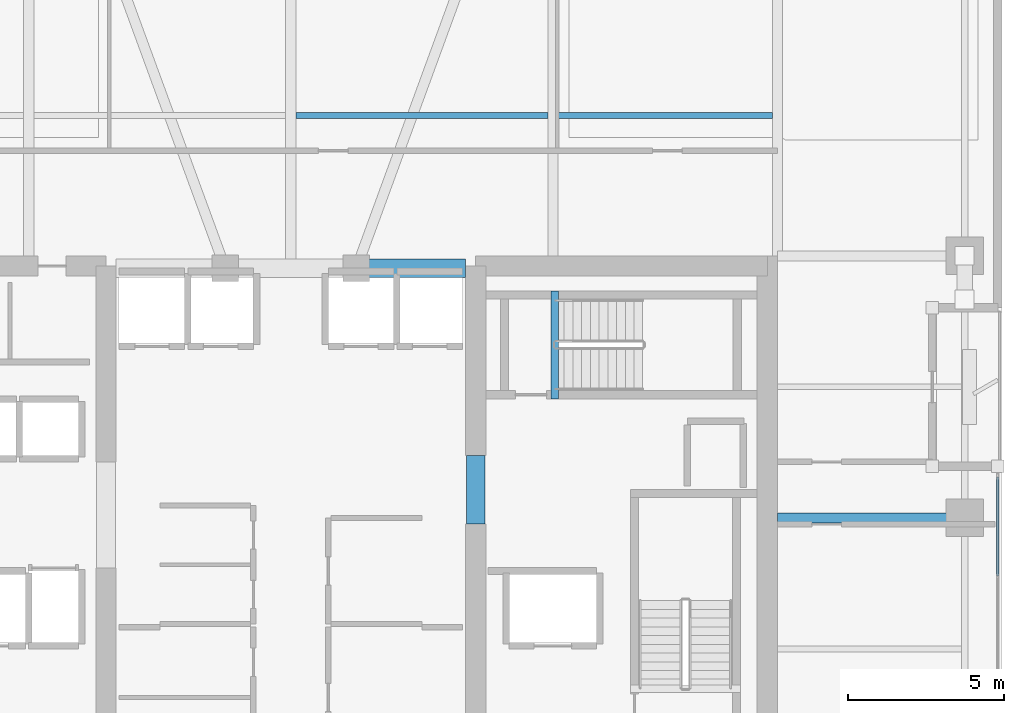
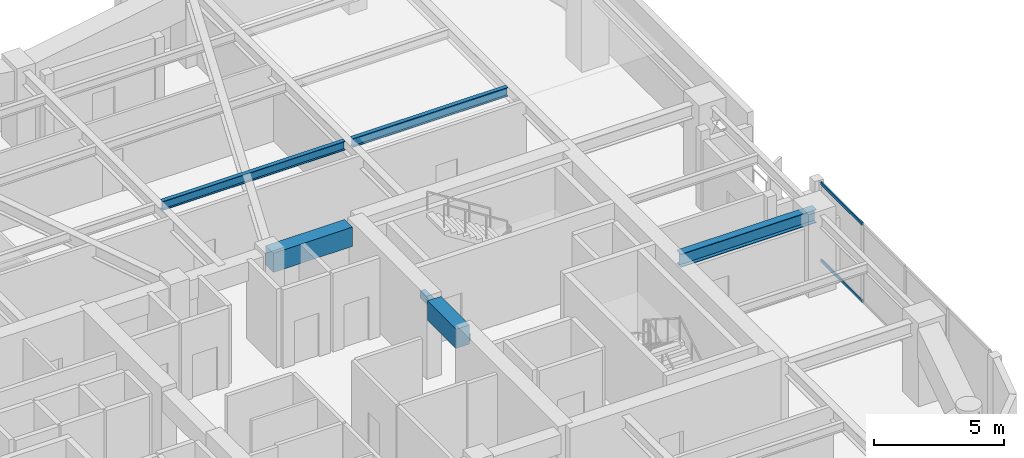
# One storey, part 10 of 30: 6 beams, 2 members, 1 element without a shape of its own.
"""IFC4 building model written with IfcOpenShell, lengths in metres."""

from ifc_helpers import new_model, si_unit, direction, frame, origin, origin_2d, place, context, subcontext, project, spatial, rectangle, hollow_rectangle, i_section, extrude, material, layer, layer_set, material_profile, profile_set, type_object, element, aggregate, save


model = new_model("IFC4")

# Units and contexts
model_context = context("Model", 3, precision=1e-05, world=origin(), true_north=direction((0.0, 1.0)))
body_context = subcontext(model_context, "Body", "Model", "MODEL_VIEW")
ifc_project = project(units=[si_unit("LENGTHUNIT", "METRE"), si_unit("AREAUNIT", "SQUARE_METRE"), si_unit("VOLUMEUNIT", "CUBIC_METRE"), si_unit("PLANEANGLEUNIT", "RADIAN"), si_unit("MASSUNIT", "GRAM", prefix="KILO")], contexts=[model_context])

# Site, building, storey
site_placement = place(None, origin())
site = spatial("IfcSite", under=ifc_project, at=site_placement, CompositionType="ELEMENT")
building_placement = place(site_placement, origin())
building = spatial("IfcBuilding", under=site, at=building_placement, Name="Kiyonajd Concourse Tower", CompositionType="ELEMENT")
storey_placement = place(building_placement, frame((0.0, 0.0, 190.199951171875)))
storey = spatial("IfcBuildingStorey", under=building, at=storey_placement, Name="L48", CompositionType="ELEMENT", Elevation=190.199951171875)

# Beams
ifc_material_1 = material(Name="Concrete C60/75", Category="concrete")
ifc_material_profile_1 = material_profile(ifc_material_1, rectangle(XDim=0.60009765625, YDim=0.89990234375, at=origin_2d()), Name="RCBM-600x900")
ifc_profile_set_1 = profile_set([ifc_material_profile_1], Name="Concrete C60/75")
beam_type_1 = type_object("IfcBeamType", Name="BM-COUP-900", PredefinedType="LINTEL", material=ifc_profile_set_1)
beam_1_placement = place(storey_placement, frame((50.10009765625, 44.0, 3.22998046875), z_axis=(1.0, 0.0, 0.0), x_axis=(0.0, 1.0, 0.0)))
element("IfcBeam", 1, at=beam_1_placement, inside=storey, type_object=beam_type_1, Name="L48 Core Coupling Beam N3", PredefinedType="LINTEL", context=body_context, shape_type="SweptSolid", body=[
    extrude(rectangle(XDim=0.60009765625, YDim=0.89990234375, at=origin_2d()), origin(), (0.0, 0.0, 1.0), 3.5),
])
beam_2_placement = place(storey_placement, frame((53.925048828125, 35.800048828125, 3.22998046875), z_axis=(0.0, 1.0, 0.0), x_axis=(-1.0, 0.0, 0.0)))
element("IfcBeam", 2, at=beam_2_placement, inside=storey, type_object=beam_type_1, Name="L48 East Core Throat Coupling Lintel", PredefinedType="LINTEL", context=body_context, shape_type="SweptSolid", body=[
    extrude(rectangle(XDim=0.60009765625, YDim=0.89990234375, at=origin_2d()), origin(), (0.0, 0.0, 1.0), 2.199951171875),
])
ifc_material_2 = material(Name="Steel ASTM A992 Grade 50", Category="steel")
ifc_material_profile_2 = material_profile(ifc_material_2, i_section(OverallWidth=0.180908203125, OverallDepth=0.4169921875, WebThickness=0.010986328125, FlangeThickness=0.018310546875, at=origin_2d()), Name="W410X85")
ifc_profile_set_2 = profile_set([ifc_material_profile_2], Name="Steel ASTM A992 Grade 50")
beam_type_2 = type_object("IfcBeamType", Name="BM-JST-410", PredefinedType="JOIST", material=ifc_profile_set_2)
beam_3_placement = place(storey_placement, frame((48.16357421875, 48.89990234375, 3.471435546875), z_axis=(1.0, 0.0, 0.0), x_axis=(0.0, 1.0, 0.0)))
element("IfcBeam", 3, at=beam_3_placement, inside=storey, type_object=beam_type_2, Name="L48 Secondary Floor Joist", PredefinedType="JOIST", context=body_context, shape_type="SweptSolid", body=[
    extrude(i_section(OverallWidth=0.180908203125, OverallDepth=0.4169921875, WebThickness=0.010986328125, FlangeThickness=0.018310546875, at=origin_2d()), origin(), (0.0, 0.0, 1.0), 8.072998046875),
])
beam_4_placement = place(storey_placement, frame((56.5634765625, 48.89990234375, 3.471435546875), z_axis=(1.0, 0.0, 0.0), x_axis=(0.0, 1.0, 0.0)))
element("IfcBeam", 4, at=beam_4_placement, inside=storey, type_object=beam_type_2, Name="L48 Secondary Floor Joist", PredefinedType="JOIST", context=body_context, shape_type="SweptSolid", body=[
    extrude(i_section(OverallWidth=0.180908203125, OverallDepth=0.4169921875, WebThickness=0.010986328125, FlangeThickness=0.018310546875, at=origin_2d()), origin(), (0.0, 0.0, 1.0), 6.873046875),
])
ifc_material_3 = material(Name="Concrete C50/60", Category="concrete")
ifc_material_profile_3 = material_profile(ifc_material_3, rectangle(XDim=0.239990234375, YDim=0.320068359375, at=origin_2d()), Name="RCBM-240x320")
ifc_profile_set_3 = profile_set([ifc_material_profile_3], Name="Concrete C50/60")
beam_type_3 = type_object("IfcBeamType", Name="BM-LNT-250", PredefinedType="LINTEL", material=ifc_profile_set_3)
beam_5_placement = place(storey_placement, frame((56.4599609375, 39.820068359375, -0.159912109375), z_axis=(0.0, 1.0, 0.0), x_axis=(-1.0, 0.0, 0.0)))
element("IfcBeam", 5, at=beam_5_placement, inside=storey, type_object=beam_type_3, Name="L48 Stair ST3 Threshold Support Beam", PredefinedType="LINTEL", context=body_context, shape_type="SweptSolid", body=[
    extrude(rectangle(XDim=0.239990234375, YDim=0.320068359375, at=origin_2d()), origin(), (0.0, 0.0, 1.0), 3.4599609375),
])
ifc_material_profile_4 = material_profile(ifc_material_2, i_section(OverallWidth=0.326904296875, OverallDepth=0.6220703125, WebThickness=0.015380859375, FlangeThickness=0.0244140625, at=origin_2d()), Name="W610X195")
ifc_profile_set_4 = profile_set([ifc_material_profile_4], Name="Steel ASTM A992 Grade 50")
beam_type_4 = type_object("IfcBeamType", Name="BM-TWR-610A", PredefinedType="BEAM", material=ifc_profile_set_4)
beam_6_placement = place(storey_placement, frame((63.60009765625, 36.0, 3.369140625), z_axis=(1.0, 0.0, 0.0), x_axis=(0.0, 1.0, 0.0)))
element("IfcBeam", 6, at=beam_6_placement, inside=storey, type_object=beam_type_4, Name="L48 East Lease Girder", PredefinedType="BEAM", context=body_context, shape_type="SweptSolid", body=[
    extrude(i_section(OverallWidth=0.326904296875, OverallDepth=0.6220703125, WebThickness=0.015380859375, FlangeThickness=0.0244140625, at=origin_2d()), origin(), (0.0, 0.0, 1.0), 6.0),
])

# Curtain wall, members
ifc_material_4 = material(Name="Thermally Broken Anodised Aluminium", Category="aluminium")
ifc_layer = layer(ifc_material_4, 0.179931640625)
ifc_layer_set = layer_set([ifc_layer], Name="Thermally Broken Anodised Aluminium")
curtain_wall_type = type_object("IfcCurtainWallType", Name="CW-SYS-03", PredefinedType="NOTDEFINED", material=ifc_layer_set)
curtain_wall_placement = place(storey_placement, origin())
curtain_wall = element("IfcCurtainWall", 7, at=curtain_wall_placement, inside=storey, type_object=curtain_wall_type, Name="L48 Unitised Curtain Wall CW3", PredefinedType="NOTDEFINED")
ifc_material_profile_5 = material_profile(ifc_material_4, hollow_rectangle(XDim=0.06494140625, YDim=0.139892578125, WallThickness=0.00390625, at=origin_2d()), Name="TRAN-65x140")
ifc_profile_set_5 = profile_set([ifc_material_profile_5], Name="Thermally Broken Anodised Aluminium")
member_type = type_object("IfcMemberType", Name="MB-CW-TRAN1", PredefinedType="USERDEFINED", material=ifc_profile_set_5)
member_1_placement = place(storey_placement, frame((70.659912109375, 37.304931640625, 0.032470703125), z_axis=(0.0, -1.0, 0.0), x_axis=(1.0, 0.0, 0.0)))
member_1 = element("IfcMember", 8, at=member_1_placement, type_object=member_type, Name="CW3 transom 1.1", ObjectType="TRANSOM", PredefinedType="USERDEFINED", context=body_context, shape_type="SweptSolid", body=[
    extrude(hollow_rectangle(XDim=0.06494140625, YDim=0.139892578125, WallThickness=0.00390625, at=origin_2d()), origin(), (0.0, 0.0, 1.0), 3.167724609375),
])
member_2_placement = place(storey_placement, frame((70.659912109375, 37.304931640625, 3.6474609375), z_axis=(0.0, -1.0, 0.0), x_axis=(1.0, 0.0, 0.0)))
member_2 = element("IfcMember", 9, at=member_2_placement, type_object=member_type, Name="CW3 transom 1.2", ObjectType="TRANSOM", PredefinedType="USERDEFINED", context=body_context, shape_type="SweptSolid", body=[
    extrude(hollow_rectangle(XDim=0.06494140625, YDim=0.139892578125, WallThickness=0.00390625, at=origin_2d()), origin(), (0.0, 0.0, 1.0), 3.167724609375),
])
aggregate(curtain_wall, [member_1, member_2])

save(model, "model.ifc")
